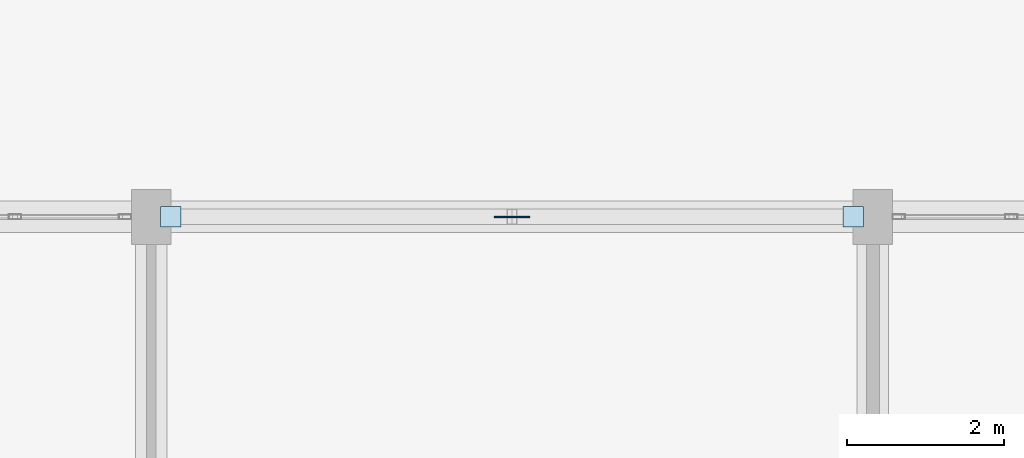
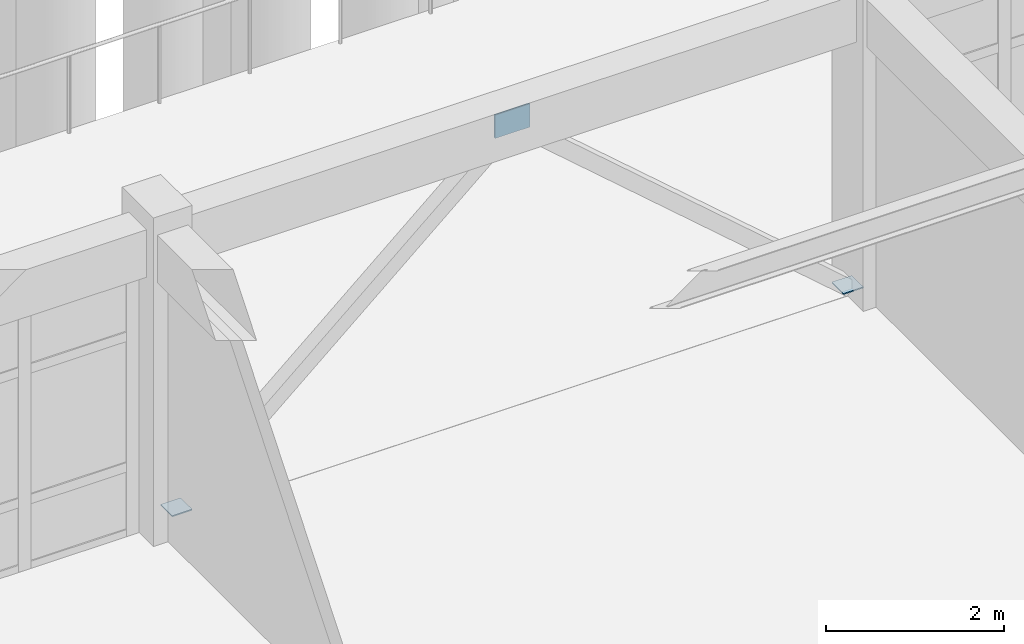
# One storey, part 116 of 154: 3 plates.
"""IFC4 building model written with IfcOpenShell, lengths in metres."""

import ifcopenshell
import ifcopenshell.guid

model = None  # the IFC model being written
_history = None  # IfcOwnerHistory: only IFC2X3 demands one
_inside = {}  # id of a spatial element -> (the spatial element, [elements in it])
_under = {}  # id of a project, library or spatial element -> (it, [spatial elements below it])
_declared = {}  # id of a project -> (the project, [libraries it declares])
_typed = {}  # id of a type object -> (the type object, [elements of that type])
_made_of = {}  # id of a material, layer set ... -> (it, [elements and type objects made of it])


def new_model(schema):
    """Start an empty IFC model of exactly this schema.

    Asked for "IFC4X3", IfcOpenShell would pick the latest addendum, in which some entities
    have other attributes; the version numbers below select the first issue.
    IFC2X3 requires an IfcOwnerHistory on every rooted entity: one is made here for all.
    """
    global model, _history
    if schema == "IFC4X3":
        model = ifcopenshell.file(schema_version=(4, 3, 0, 0))
    else:
        model = ifcopenshell.file(schema=schema)
    _inside.clear()
    _under.clear()
    _declared.clear()
    _typed.clear()
    _made_of.clear()
    _history = None
    if model.schema == "IFC2X3":
        org = make("IfcOrganization", Name="unknown")
        user = make(
            "IfcPersonAndOrganization",
            ThePerson=make("IfcPerson", FamilyName="unknown"),
            TheOrganization=org,
        )
        app = make(
            "IfcApplication",
            ApplicationDeveloper=org,
            Version="unknown",
            ApplicationFullName="unknown",
            ApplicationIdentifier="unknown",
        )
        _history = make(
            "IfcOwnerHistory",
            OwningUser=user,
            OwningApplication=app,
            ChangeAction="ADDED",
            CreationDate=0,
        )
    return model


def make(cls, **values):
    """One entity of the class cls with the attributes given. An attribute that is None is left unset."""
    return model.create_entity(
        cls, **{name: value for name, value in values.items() if value is not None}
    )


def rooted(cls, **values):
    """An entity with a GlobalId (a new one), such as an element, a storey or a relation."""
    return make(cls, GlobalId=ifcopenshell.guid.new(), OwnerHistory=_history, **values)


def si_unit(unit_type, name, prefix=None):
    """IfcSIUnit, for example si_unit("LENGTHUNIT", "METRE", prefix="MILLI")."""
    return make("IfcSIUnit", UnitType=unit_type, Prefix=prefix, Name=name)


def assignment(units):
    """IfcUnitAssignment: the units of a project."""
    return None if units is None else make("IfcUnitAssignment", Units=units)


def point(xyz):
    """IfcCartesianPoint."""
    return None if xyz is None else make("IfcCartesianPoint", Coordinates=xyz)


def direction(xyz):
    """IfcDirection."""
    return None if xyz is None else make("IfcDirection", DirectionRatios=xyz)


def frame(location, z_axis=None, x_axis=None):
    """IfcAxis2Placement3D, a coordinate frame: its origin and axes. An axis left out is left unset."""
    return make(
        "IfcAxis2Placement3D",
        Location=point(location),
        Axis=direction(z_axis),
        RefDirection=direction(x_axis),
    )


def frame_2d(location, x_axis=None):
    """IfcAxis2Placement2D, a coordinate frame in the plane: its origin and x axis."""
    return make(
        "IfcAxis2Placement2D", Location=point(location), RefDirection=direction(x_axis)
    )


def origin():
    """The frame at (0, 0, 0) with its axes left unset."""
    return frame((0.0, 0.0, 0.0))


def origin_2d():
    """The frame at (0, 0) in the plane with its x axis left unset."""
    return frame_2d((0.0, 0.0))


def place(relative_to, where):
    """IfcLocalPlacement: puts the frame where relative to a parent placement (None: the world)."""
    return make(
        "IfcLocalPlacement", PlacementRelTo=relative_to, RelativePlacement=where
    )


def context(
    kind, dimensions, precision=None, world=None, true_north=None, identifier=None
):
    """IfcGeometricRepresentationContext, for example the 3D "Model" context."""
    return make(
        "IfcGeometricRepresentationContext",
        ContextIdentifier=identifier,
        ContextType=kind,
        CoordinateSpaceDimension=dimensions,
        Precision=precision,
        WorldCoordinateSystem=world,
        TrueNorth=true_north,
    )


def subcontext(parent, identifier, kind, view, scale=None):
    """IfcGeometricRepresentationSubContext, for example "Body" below "Model"."""
    return make(
        "IfcGeometricRepresentationSubContext",
        ContextIdentifier=identifier,
        ContextType=kind,
        ParentContext=parent,
        TargetScale=scale,
        TargetView=view,
    )


def project(units=None, contexts=None):
    """IfcProject with its units and contexts."""
    return rooted(
        "IfcProject",
        Name="project",
        RepresentationContexts=contexts,
        UnitsInContext=assignment(units),
    )


def spatial(cls, under=None, at=None, **own):
    """A site, building, storey or space (cls), placed at a placement, below another one or the project."""
    s = rooted(cls, ObjectPlacement=at, **own)
    if under is not None:
        _under.setdefault(under.id(), (under, []))[1].append(s)
    return s


def profile(cls, at=None, kind="AREA", **sizes):
    """A parametric profile (cls). Its sizes go by their IFC names, for example OverallWidth=200.0."""
    return make(cls, ProfileType=kind, Position=at, **sizes)


def rectangle(**sizes):
    """IfcRectangleProfileDef."""
    return profile("IfcRectangleProfileDef", **sizes)


def extrude(swept, where, along, depth):
    """IfcExtrudedAreaSolid: the profile swept, set in the frame where, extruded along a direction by depth."""
    return make(
        "IfcExtrudedAreaSolid",
        SweptArea=swept,
        Position=where,
        ExtrudedDirection=direction(along),
        Depth=depth,
    )


def shape(context_of_items, identifier, shape_type, items):
    """IfcShapeRepresentation: the items that make up one representation, for example the "Body"."""
    return make(
        "IfcShapeRepresentation",
        ContextOfItems=context_of_items,
        RepresentationIdentifier=identifier,
        RepresentationType=shape_type,
        Items=items,
    )


def material(Name=None, Category=None):
    """IfcMaterial."""
    return make("IfcMaterial", Name=Name, Category=Category)


def layer(
    of_material, thickness, ventilated=None, Name=None, Category=None, Priority=None
):
    """IfcMaterialLayer: one layer of a wall or slab, of a material (None: an air gap)."""
    return make(
        "IfcMaterialLayer",
        Material=of_material,
        LayerThickness=thickness,
        IsVentilated=ventilated,
        Name=Name,
        Category=Category,
        Priority=Priority,
    )


def layer_set(layers, Name=None):
    """IfcMaterialLayerSet."""
    return make("IfcMaterialLayerSet", MaterialLayers=layers, LayerSetName=Name)


def made_of(thing, what):
    """Note that an element or type object is made of a material, layer set ...; save() writes the relation."""
    if what is not None:
        _made_of.setdefault(what.id(), (what, []))[1].append(thing)
    return thing


def type_object(cls, material=None, **own):
    """A type object (cls), such as IfcWallType, which elements share."""
    return made_of(rooted(cls, **own), material)


def element(
    cls,
    number,
    at=None,
    inside=None,
    cuts=None,
    type_object=None,
    material=None,
    context=None,
    identifier="Body",
    shape_type=None,
    held_by="IfcProductDefinitionShape",
    body=None,
    shapes=None,
    **own,
):
    """One element of the class cls, such as IfcWall. Its Tag is "e" and its number.

    at: its placement. inside: the storey or other place that contains it. cuts: it is an
    opening in that element (IfcRelVoidsElement). A single representation is given by context,
    identifier, shape_type and body (its items); several are given by shapes. held_by: the class
    of the entity that holds the representations. save() writes the other relations.
    """
    e = rooted(cls, Tag="e%d" % number, ObjectPlacement=at, **own)
    if body is not None:
        shapes = [shape(context, identifier, shape_type, body)]
    if shapes is not None:
        e.Representation = make(held_by, Representations=shapes)
    if inside is not None:
        _inside.setdefault(inside.id(), (inside, []))[1].append(e)
    if cuts is not None:
        rooted(
            "IfcRelVoidsElement", RelatingBuildingElement=cuts, RelatedOpeningElement=e
        )
    if type_object is not None:
        _typed.setdefault(type_object.id(), (type_object, []))[1].append(e)
    return made_of(e, material)


def aggregate(whole, parts):
    """IfcRelAggregates: a whole, such as a stair, and the parts it consists of."""
    return rooted("IfcRelAggregates", RelatingObject=whole, RelatedObjects=parts)


def save(model, path):
    """Write the relations noted so far, then the file.

    IfcRelAggregates (storeys below a building ...), IfcRelContainedInSpatialStructure (elements
    in a storey), IfcRelDefinesByType, IfcRelAssociatesMaterial and IfcRelDeclares: one each for
    every whole, place, type object, material and project.
    """
    for whole, parts in _under.values():
        aggregate(whole, parts)
    for where, things in _inside.values():
        rooted(
            "IfcRelContainedInSpatialStructure",
            RelatedElements=things,
            RelatingStructure=where,
        )
    for kind, things in _typed.values():
        rooted("IfcRelDefinesByType", RelatedObjects=things, RelatingType=kind)
    for what, things in _made_of.values():
        rooted("IfcRelAssociatesMaterial", RelatedObjects=things, RelatingMaterial=what)
    for by, libraries in _declared.values():
        rooted("IfcRelDeclares", RelatingContext=by, RelatedDefinitions=libraries)
    model.write(path)


model = new_model("IFC4")

# Units and contexts
model_context = context("Model", 3, precision=1e-05, world=origin(), true_north=direction((0.0, 1.0)))
body_context = subcontext(model_context, "Body", "Model", "MODEL_VIEW")
ifc_project = project(units=[si_unit("LENGTHUNIT", "METRE"), si_unit("AREAUNIT", "SQUARE_METRE"), si_unit("VOLUMEUNIT", "CUBIC_METRE"), si_unit("PLANEANGLEUNIT", "RADIAN"), si_unit("MASSUNIT", "GRAM", prefix="KILO")], contexts=[model_context])

# Site, building, storey
site_placement = place(None, origin())
site = spatial("IfcSite", under=ifc_project, at=site_placement, CompositionType="ELEMENT")
building_placement = place(site_placement, origin())
building = spatial("IfcBuilding", under=site, at=building_placement, Name="Kestramere Prow Commons", CompositionType="ELEMENT")
storey_placement = place(building_placement, origin())
storey = spatial("IfcBuildingStorey", under=building, at=storey_placement, Name="L00", CompositionType="ELEMENT", Elevation=0.0)

# Plates
ifc_material = material(Name="Steel S355JR", Category="steel")
ifc_layer_1 = layer(ifc_material, 0.01611328125)
ifc_layer_set_1 = layer_set([ifc_layer_1], Name="Steel S355JR")
plate_type_1 = type_object("IfcPlateType", Name="PL-ENDCAP-16 (EX)", PredefinedType="SHEET", material=ifc_layer_set_1)
for number, where, z_axis, x_axis, name in (
    (1, (85.25, 24.0, 0.141845703125), (0.0, 0.0, 1.0), (1.0, 0.0, 0.0), "Market Brace Cap Plate L00-L"),
    (2, (93.949951171875, 24.0, 0.141845703125), (0.0, 0.0, 1.0), (1.0, 0.0, 0.0), "Market Brace Cap Plate L00-R"),
):
    element("IfcPlate", number, at=place(storey_placement, frame(where, z_axis=z_axis, x_axis=x_axis)), inside=storey, type_object=plate_type_1, Name=name, PredefinedType="SHEET", context=body_context, shape_type="SweptSolid", body=[
        extrude(rectangle(XDim=0.260009765625, YDim=0.260009765625, at=origin_2d()), origin(), (0.0, 0.0, 1.0), 0.01611328125),
    ])
ifc_layer_2 = layer(ifc_material, 0.02001953125)
ifc_layer_set_2 = layer_set([ifc_layer_2], Name="Steel S355JR")
plate_type_2 = type_object("IfcPlateType", Name="PL-GUSSET-20 (EX)", PredefinedType="SHEET", material=ifc_layer_set_2)
plate_placement = place(storey_placement, frame((89.60009765625, 24.0, 3.76513671875), z_axis=(0.0, 0.0, 1.0), x_axis=(1.0, 0.0, 0.0)))
element("IfcPlate", 3, at=plate_placement, inside=storey, type_object=plate_type_2, Name="Market L00 Gusset Plate", PredefinedType="SHEET", context=body_context, shape_type="SweptSolid", body=[
    extrude(rectangle(XDim=0.449951171875, YDim=0.02001953125, at=origin_2d()), origin(), (0.0, 0.0, 1.0), 0.320068359375),
])

save(model, "model.ifc")
